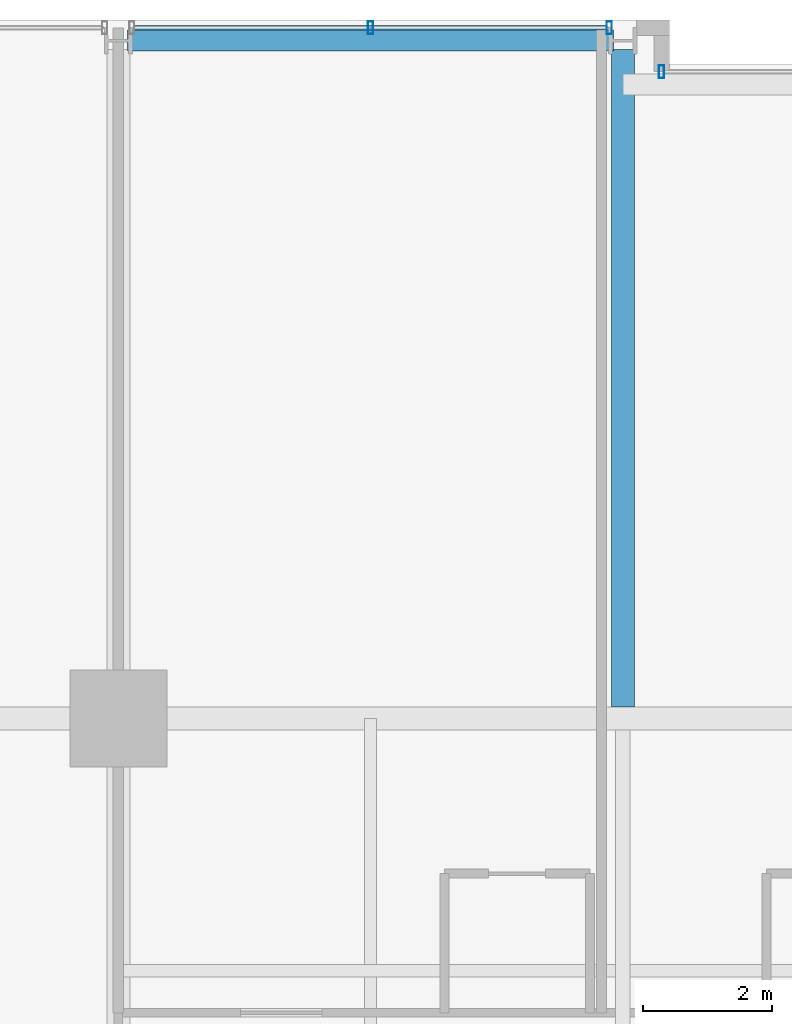
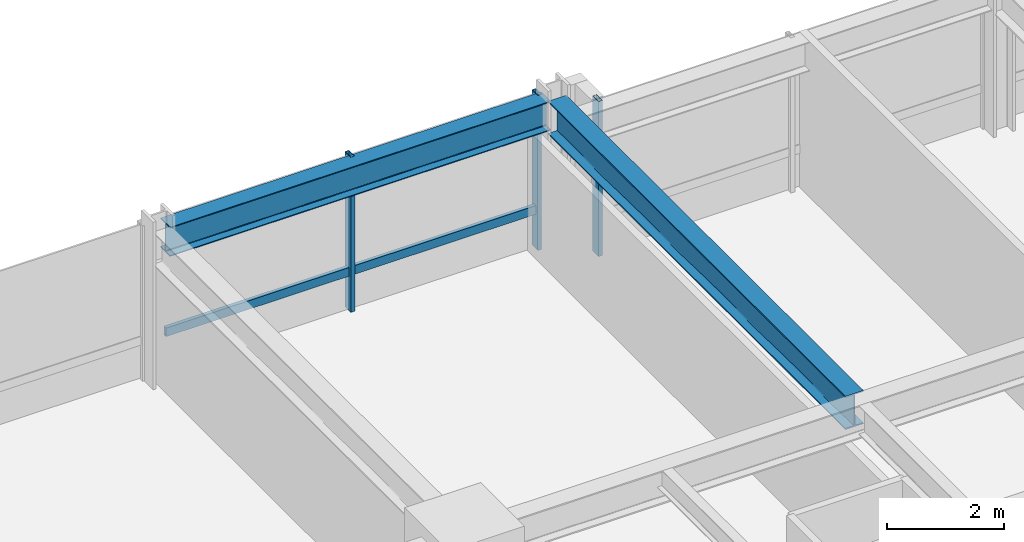
# One storey, part 21 of 34: 4 members, 2 beams, 2 elements without a shape of their own.
"""IFC4 building model written with IfcOpenShell, lengths in metres."""

from ifc_helpers import new_model, si_unit, direction, frame, origin, origin_2d, place, context, subcontext, project, spatial, hollow_rectangle, i_section, extrude, material, layer, layer_set, material_profile, profile_set, type_object, element, aggregate, save


model = new_model("IFC4")

# Units and contexts
model_context = context("Model", 3, precision=1e-05, world=origin(), true_north=direction((0.0, 1.0)))
body_context = subcontext(model_context, "Body", "Model", "MODEL_VIEW")
ifc_project = project(units=[si_unit("LENGTHUNIT", "METRE"), si_unit("AREAUNIT", "SQUARE_METRE"), si_unit("VOLUMEUNIT", "CUBIC_METRE"), si_unit("PLANEANGLEUNIT", "RADIAN"), si_unit("MASSUNIT", "GRAM", prefix="KILO")], contexts=[model_context])

# Site, building, storey
site_placement = place(None, origin())
site = spatial("IfcSite", under=ifc_project, at=site_placement, CompositionType="ELEMENT")
building_placement = place(site_placement, origin())
building = spatial("IfcBuilding", under=site, at=building_placement, Name="Drelvath Grand Hotel", CompositionType="ELEMENT")
storey_placement = place(building_placement, frame((0.0, 0.0, 126.800048828125)))
storey = spatial("IfcBuildingStorey", under=building, at=storey_placement, Name="L32", CompositionType="ELEMENT", Elevation=126.800048828125)

# Curtain wall, members
ifc_material_1 = material(Name="Champagne Bronze Anodised Aluminium Frame", Category="aluminium")
ifc_layer = layer(ifc_material_1, 0.199951171875)
ifc_layer_set = layer_set([ifc_layer], Name="Champagne Bronze Anodised Aluminium Frame")
curtain_wall_type = type_object("IfcCurtainWallType", Name="Stick Curtain Wall CW-03 Champagne Bronze Mid-Rise", PredefinedType="NOTDEFINED", material=ifc_layer_set)
curtain_wall_1_placement = place(storey_placement, origin())
curtain_wall_1 = element("IfcCurtainWall", 1, at=curtain_wall_1_placement, inside=storey, type_object=curtain_wall_type, Name="L32 CW-03 Curtain Wall CW03-L32-NW2", PredefinedType="NOTDEFINED")
ifc_material_profile_1 = material_profile(ifc_material_1, hollow_rectangle(XDim=0.074951171875, YDim=0.179931640625, WallThickness=0.0048828125, at=origin_2d()), Name="HSS180X75X5")
ifc_profile_set_1 = profile_set([ifc_material_profile_1], Name="Champagne Bronze Anodised Aluminium Frame")
member_type_1 = type_object("IfcMemberType", Name="Curtain Wall Horizontal Transom CW-03 HSS180X75X5", PredefinedType="USERDEFINED", material=ifc_profile_set_1)
member_1_placement = place(storey_placement, frame((-15.95068359375, 53.8798828125, 0.81005859375), z_axis=(1.0, 0.0, 0.0), x_axis=(0.0, 1.0, 0.0)))
member_1 = element("IfcMember", 2, at=member_1_placement, type_object=member_type_1, Name="CW03-L32-NW2 Sill Transom", ObjectType="TRANSOM", PredefinedType="USERDEFINED", context=body_context, shape_type="SweptSolid", body=[
    extrude(hollow_rectangle(XDim=0.074951171875, YDim=0.179931640625, WallThickness=0.0048828125, at=origin_2d()), origin(), (0.0, 0.0, 1.0), 7.30126953125),
])
ifc_material_profile_2 = material_profile(ifc_material_1, hollow_rectangle(XDim=0.080078125, YDim=0.199951171875, WallThickness=0.0048828125, at=origin_2d()), Name="HSS200X80X5")
ifc_profile_set_2 = profile_set([ifc_material_profile_2], Name="Champagne Bronze Anodised Aluminium Frame")
member_type_2 = type_object("IfcMemberType", Name="Curtain Wall Vertical Mullion CW-03 HSS200X80X5", PredefinedType="MULLION", material=ifc_profile_set_2)
member_2_placement = place(storey_placement, frame((-12.300048828125, 53.8798828125, 0.0), z_axis=(0.0, 0.0, 1.0), x_axis=(1.0, 0.0, 0.0)))
member_2 = element("IfcMember", 3, at=member_2_placement, type_object=member_type_2, Name="CW03-L32-NW2 Mullion 2", PredefinedType="MULLION", context=body_context, shape_type="SweptSolid", body=[
    extrude(hollow_rectangle(XDim=0.080078125, YDim=0.199951171875, WallThickness=0.0048828125, at=origin_2d()), origin(), (0.0, 0.0, 1.0), 3.239990234375),
])
member_3_placement = place(storey_placement, frame((-8.609375, 53.8798828125, 0.0), z_axis=(0.0, 0.0, 1.0), x_axis=(1.0, 0.0, 0.0)))
member_3 = element("IfcMember", 4, at=member_3_placement, type_object=member_type_2, Name="CW03-L32-NW2 Mullion 3", PredefinedType="MULLION", context=body_context, shape_type="SweptSolid", body=[
    extrude(hollow_rectangle(XDim=0.080078125, YDim=0.199951171875, WallThickness=0.0048828125, at=origin_2d()), origin(), (0.0, 0.0, 1.0), 3.239990234375),
])
aggregate(curtain_wall_1, [member_2, member_3, member_1])

# Curtain wall, member
curtain_wall_2_placement = place(storey_placement, origin())
curtain_wall_2 = element("IfcCurtainWall", 5, at=curtain_wall_2_placement, inside=storey, type_object=curtain_wall_type, Name="L32 CW-03 Curtain Wall CW03-L32-NM1", PredefinedType="NOTDEFINED")
member_4_placement = place(storey_placement, frame((-7.800048828125, 53.199951171875, 0.0), z_axis=(0.0, 0.0, 1.0), x_axis=(1.0, 0.0, 0.0)))
member_4 = element("IfcMember", 6, at=member_4_placement, type_object=member_type_2, Name="CW03-L32-NM1 Mullion 1", PredefinedType="MULLION", context=body_context, shape_type="SweptSolid", body=[
    extrude(hollow_rectangle(XDim=0.080078125, YDim=0.199951171875, WallThickness=0.0048828125, at=origin_2d()), origin(), (0.0, 0.0, 1.0), 3.239990234375),
])
aggregate(curtain_wall_2, [member_4])

# Beams
ifc_material_2 = material(Name="Steel ASTM A992 Gr 50", Category="steel")
ifc_material_profile_3 = material_profile(ifc_material_2, i_section(OverallWidth=0.323974609375, OverallDepth=0.611083984375, WebThickness=0.0126953125, FlangeThickness=0.01904296875, FilletRadius=0.02197265625, at=origin_2d()), Name="W24X104")
ifc_profile_set_3 = profile_set([ifc_material_profile_3], Name="Steel ASTM A992 Gr 50")
beam_type_1 = type_object("IfcBeamType", Name="Perimeter Spandrel Beam W24X104", PredefinedType="SPANDREL", material=ifc_profile_set_3)
beam_1_placement = place(storey_placement, frame((-16.06005859375, 53.679931640625, 2.934326171875), z_axis=(1.0, 0.0, 0.0), x_axis=(0.0, 1.0, 0.0)))
element("IfcBeam", 7, at=beam_1_placement, inside=storey, type_object=beam_type_1, Name="L32 Spandrel North W", PredefinedType="SPANDREL", context=body_context, shape_type="SweptSolid", body=[
    extrude(i_section(OverallWidth=0.323974609375, OverallDepth=0.611083984375, WebThickness=0.0126953125, FlangeThickness=0.01904296875, FilletRadius=0.02197265625, at=origin_2d()), origin(), (0.0, 0.0, 1.0), 7.52001953125),
])
ifc_material_profile_4 = material_profile(ifc_material_2, i_section(OverallWidth=0.354736328125, OverallDepth=0.695556640625, WebThickness=0.015380859375, FlangeThickness=0.025146484375, FilletRadius=0.02392578125, at=origin_2d()), Name="W27X146")
ifc_profile_set_4 = profile_set([ifc_material_profile_4], Name="Steel ASTM A992 Gr 50")
beam_type_2 = type_object("IfcBeamType", Name="Primary Floor Girder W27X146", PredefinedType="BEAM", material=ifc_profile_set_4)
beam_2_placement = place(storey_placement, frame((-8.39990234375, 43.37744140625, 2.892333984375), z_axis=(0.0, 1.0, 0.0), x_axis=(-1.0, 0.0, 0.0)))
element("IfcBeam", 8, at=beam_2_placement, inside=storey, type_object=beam_type_2, Name="L32 North Wing Girder 4", PredefinedType="BEAM", context=body_context, shape_type="SweptSolid", body=[
    extrude(i_section(OverallWidth=0.354736328125, OverallDepth=0.695556640625, WebThickness=0.015380859375, FlangeThickness=0.025146484375, FilletRadius=0.02392578125, at=origin_2d()), origin(), (0.0, 0.0, 1.0), 10.16259765625),
])

save(model, "model.ifc")
